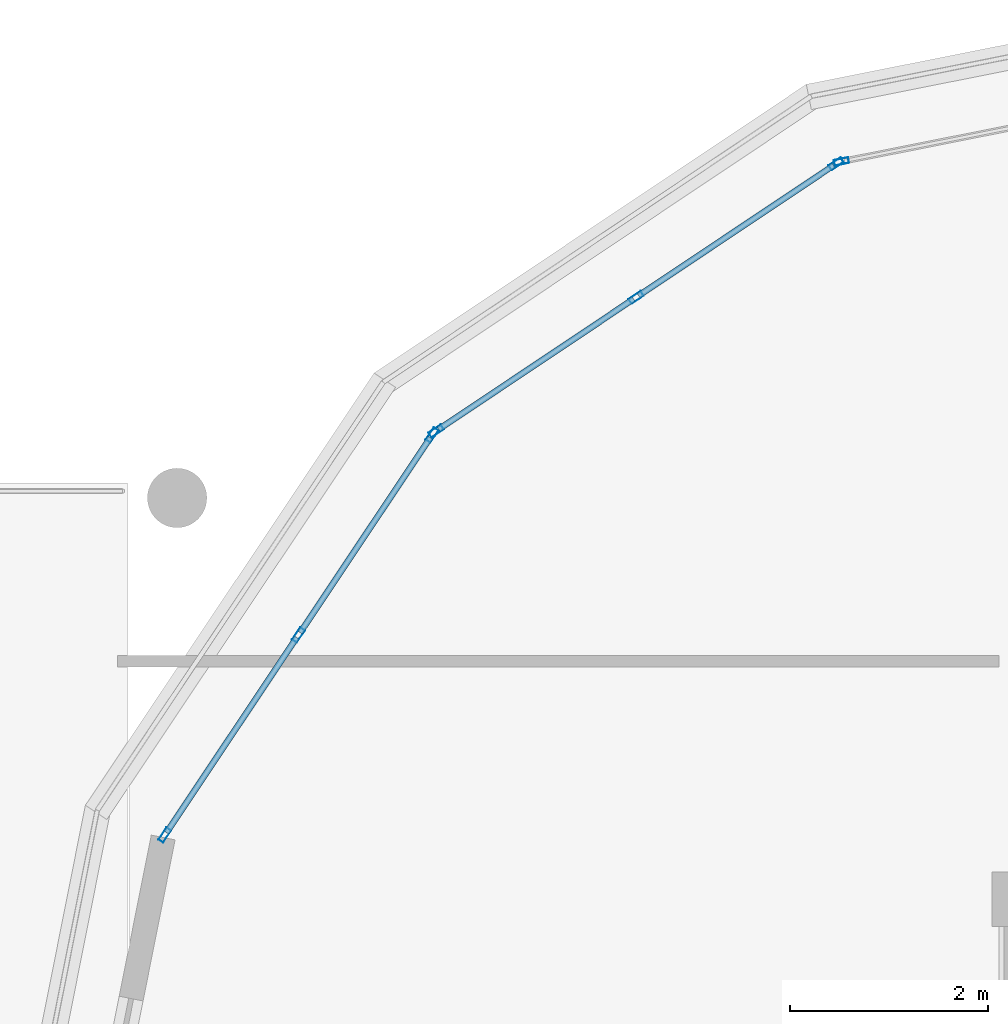
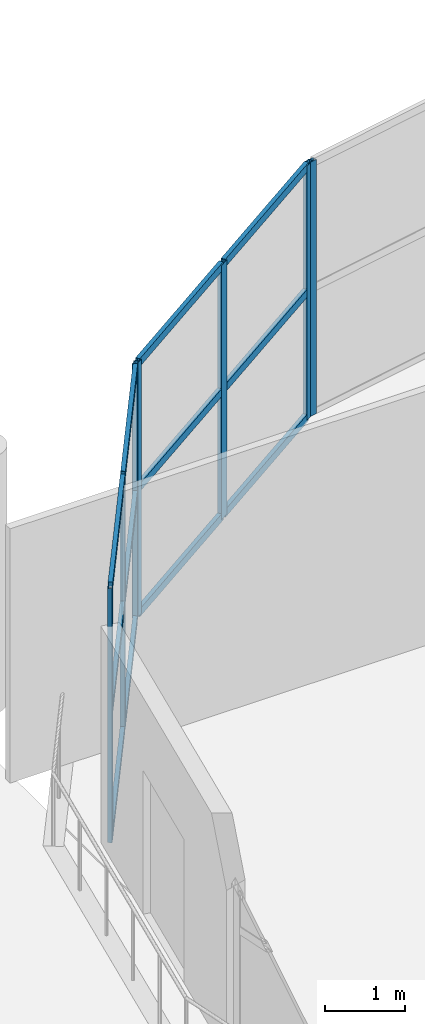
# One storey, part 6 of 44: 19 members, 3 elements without a shape of their own.
"""IFC4 building model written with IfcOpenShell, lengths in metres."""

from ifc_helpers import new_model, si_unit, direction, frame, origin, origin_2d, place, context, subcontext, project, spatial, hollow_rectangle, extrude, material, layer, layer_set, material_profile, profile_set, type_object, element, aggregate, save


model = new_model("IFC4")

# Units and contexts
model_context = context("Model", 3, precision=1e-05, world=origin(), true_north=direction((0.0, 1.0)))
body_context = subcontext(model_context, "Body", "Model", "MODEL_VIEW")
ifc_project = project(units=[si_unit("LENGTHUNIT", "METRE"), si_unit("AREAUNIT", "SQUARE_METRE"), si_unit("VOLUMEUNIT", "CUBIC_METRE"), si_unit("PLANEANGLEUNIT", "RADIAN"), si_unit("MASSUNIT", "GRAM", prefix="KILO")], contexts=[model_context])

# Site, building, storey
site_placement = place(None, origin())
site = spatial("IfcSite", under=ifc_project, at=site_placement, CompositionType="ELEMENT")
building_placement = place(site_placement, origin())
building = spatial("IfcBuilding", under=site, at=building_placement, Name="Zizhar Promenade General Hospital", CompositionType="ELEMENT")
storey_placement = place(building_placement, frame((0.0, 0.0, 34.800048828125)))
storey = spatial("IfcBuildingStorey", under=building, at=storey_placement, Name="L08", CompositionType="ELEMENT", Elevation=34.800048828125)

# Curtain wall, member
ifc_material_1 = material(Name="Anodised aluminium 6063-T6 and low-E glass", Category="aluminium")
ifc_layer = layer(ifc_material_1, 0.159912109375)
ifc_layer_set = layer_set([ifc_layer], Name="Anodised aluminium 6063-T6 and low-E glass")
curtain_wall_type = type_object("IfcCurtainWallType", Name="CW-WARD-ARC", PredefinedType="NOTDEFINED", material=ifc_layer_set)
curtain_wall_1_placement = place(storey_placement, origin())
curtain_wall_1 = element("IfcCurtainWall", 1, at=curtain_wall_1_placement, inside=storey, type_object=curtain_wall_type, Name="Ward Semicircular End Glazing L08-10", PredefinedType="NOTDEFINED")
ifc_material_2 = material(Name="Anodised aluminium 6063-T6", Category="aluminium")
ifc_material_profile_1 = material_profile(ifc_material_2, hollow_rectangle(XDim=0.06005859375, YDim=0.14990234375, WallThickness=0.00390625, at=origin_2d()))
ifc_profile_set_1 = profile_set([ifc_material_profile_1], Name="Anodised aluminium 6063-T6")
member_type_1 = type_object("IfcMemberType", Name="CWM-ALU-150x60", PredefinedType="MULLION", material=ifc_profile_set_1)
member_1_placement = place(storey_placement, frame((45.007568359375, 24.246826171875, 0.0), z_axis=(0.0, 0.0, 1.0), x_axis=(-0.195087259275, 0.980785889615, 0.0)))
member_1 = element("IfcMember", 2, at=member_1_placement, type_object=member_type_1, Name="CW-12 mullion 1", PredefinedType="MULLION", context=body_context, shape_type="SweptSolid", body=[
    extrude(hollow_rectangle(XDim=0.06005859375, YDim=0.14990234375, WallThickness=0.00390625, at=origin_2d()), origin(), (0.0, 0.0, 1.0), 3.89990234375),
])
aggregate(curtain_wall_1, [member_1])

# Curtain wall, members
curtain_wall_2_placement = place(storey_placement, origin())
curtain_wall_2 = element("IfcCurtainWall", 3, at=curtain_wall_2_placement, inside=storey, type_object=curtain_wall_type, Name="Ward Semicircular End Glazing L08-11", PredefinedType="NOTDEFINED")
member_2_placement = place(storey_placement, frame((40.91552734375, 21.526123046875, 0.0), z_axis=(0.0, 0.0, 1.0), x_axis=(-0.555582352095, 0.831461514468, 0.0)))
member_2 = element("IfcMember", 4, at=member_2_placement, type_object=member_type_1, Name="CW-12 mullion 1", PredefinedType="MULLION", context=body_context, shape_type="SweptSolid", body=[
    extrude(hollow_rectangle(XDim=0.06005859375, YDim=0.14990234375, WallThickness=0.00390625, at=origin_2d()), origin(), (0.0, 0.0, 1.0), 3.89990234375),
])
member_3_placement = place(storey_placement, frame((42.934326171875, 22.875244140625, 0.0), z_axis=(0.0, 0.0, 1.0), x_axis=(-0.555582352095, 0.831461514468, 0.0)))
member_3 = element("IfcMember", 5, at=member_3_placement, type_object=member_type_1, Name="CW-12 mullion 2", PredefinedType="MULLION", context=body_context, shape_type="SweptSolid", body=[
    extrude(hollow_rectangle(XDim=0.06005859375, YDim=0.14990234375, WallThickness=0.00390625, at=origin_2d()), origin(), (0.0, 0.0, 1.0), 3.89990234375),
])
member_4_placement = place(storey_placement, frame((44.953369140625, 24.22412109375, 0.0), z_axis=(0.0, 0.0, 1.0), x_axis=(-0.555582352095, 0.831461514468, 0.0)))
member_4 = element("IfcMember", 6, at=member_4_placement, type_object=member_type_1, Name="CW-12 mullion 3", PredefinedType="MULLION", context=body_context, shape_type="SweptSolid", body=[
    extrude(hollow_rectangle(XDim=0.06005859375, YDim=0.14990234375, WallThickness=0.00390625, at=origin_2d()), origin(), (0.0, 0.0, 1.0), 3.89990234375),
])

curtain_wall_3_placement = place(storey_placement, origin())
curtain_wall_3 = element("IfcCurtainWall", 7, at=curtain_wall_3_placement, inside=storey, type_object=curtain_wall_type, Name="Ward Semicircular End Glazing L08-12", PredefinedType="NOTDEFINED")
member_5_placement = place(storey_placement, frame((38.17578125, 17.44677734375, 0.0), z_axis=(0.0, 0.0, 1.0), x_axis=(-0.831461514468, 0.555582352095, 0.0)))
member_5 = element("IfcMember", 8, at=member_5_placement, type_object=member_type_1, Name="CW-12 mullion 1", PredefinedType="MULLION", context=body_context, shape_type="SweptSolid", body=[
    extrude(hollow_rectangle(XDim=0.06005859375, YDim=0.14990234375, WallThickness=0.00390625, at=origin_2d()), origin(), (0.0, 0.0, 1.0), 3.89990234375),
])
member_6_placement = place(storey_placement, frame((39.52490234375, 19.465576171875, 0.0), z_axis=(0.0, 0.0, 1.0), x_axis=(-0.831461514468, 0.555582352095, 0.0)))
member_6 = element("IfcMember", 9, at=member_6_placement, type_object=member_type_1, Name="CW-12 mullion 2", PredefinedType="MULLION", context=body_context, shape_type="SweptSolid", body=[
    extrude(hollow_rectangle(XDim=0.06005859375, YDim=0.14990234375, WallThickness=0.00390625, at=origin_2d()), origin(), (0.0, 0.0, 1.0), 3.89990234375),
])
member_7_placement = place(storey_placement, frame((40.873779296875, 21.484619140625, 0.0), z_axis=(0.0, 0.0, 1.0), x_axis=(-0.831461514468, 0.555582352095, 0.0)))
member_7 = element("IfcMember", 10, at=member_7_placement, type_object=member_type_1, Name="CW-12 mullion 3", PredefinedType="MULLION", context=body_context, shape_type="SweptSolid", body=[
    extrude(hollow_rectangle(XDim=0.06005859375, YDim=0.14990234375, WallThickness=0.00390625, at=origin_2d()), origin(), (0.0, 0.0, 1.0), 3.89990234375),
])

# Member
ifc_material_3 = material(Name="Anodised aluminium 6063-T6", Category="aluminium")
ifc_material_profile_2 = material_profile(ifc_material_3, hollow_rectangle(XDim=0.06005859375, YDim=0.1201171875, WallThickness=0.00390625, at=origin_2d()))
ifc_profile_set_2 = profile_set([ifc_material_profile_2], Name="Anodised aluminium 6063-T6")
member_type_2 = type_object("IfcMemberType", Name="CWT-ALU-120x60", PredefinedType="USERDEFINED", material=ifc_profile_set_2)
member_8_placement = place(storey_placement, frame((40.9404296875, 21.542724609375, 0.030029296875), z_axis=(0.831415354375, 0.555651427164, 0.0), x_axis=(-0.555651427164, 0.831415354375, 0.0)))
member_8 = element("IfcMember", 11, at=member_8_placement, type_object=member_type_2, Name="CW-12 transom 1.1", ObjectType="TRANSOM", PredefinedType="USERDEFINED", context=body_context, shape_type="SweptSolid", body=[
    extrude(hollow_rectangle(XDim=0.06005859375, YDim=0.1201171875, WallThickness=0.00390625, at=origin_2d()), origin(), (0.0, 0.0, 1.0), 2.3681640625),
])

member_9_placement = place(storey_placement, frame((40.9404296875, 21.542724609375, 1.949951171875), z_axis=(0.831415354375, 0.555651427164, 0.0), x_axis=(-0.555651427164, 0.831415354375, 0.0)))
member_9 = element("IfcMember", 12, at=member_9_placement, type_object=member_type_2, Name="CW-12 transom 1.2", ObjectType="TRANSOM", PredefinedType="USERDEFINED", context=body_context, shape_type="SweptSolid", body=[
    extrude(hollow_rectangle(XDim=0.06005859375, YDim=0.1201171875, WallThickness=0.00390625, at=origin_2d()), origin(), (0.0, 0.0, 1.0), 2.3681640625),
])

member_10_placement = place(storey_placement, frame((40.9404296875, 21.542724609375, 3.869873046875), z_axis=(0.831415354375, 0.555651427164, 0.0), x_axis=(-0.555651427164, 0.831415354375, 0.0)))
member_10 = element("IfcMember", 13, at=member_10_placement, type_object=member_type_2, Name="CW-12 transom 1.3", ObjectType="TRANSOM", PredefinedType="USERDEFINED", context=body_context, shape_type="SweptSolid", body=[
    extrude(hollow_rectangle(XDim=0.06005859375, YDim=0.1201171875, WallThickness=0.00390625, at=origin_2d()), origin(), (0.0, 0.0, 1.0), 2.3681640625),
])

member_11_placement = place(storey_placement, frame((42.959228515625, 22.891845703125, 0.030029296875), z_axis=(0.831462978956, 0.555580160396, 0.0), x_axis=(-0.555580160396, 0.831462978956, 0.0)))
member_11 = element("IfcMember", 14, at=member_11_placement, type_object=member_type_2, Name="CW-12 transom 2.1", ObjectType="TRANSOM", PredefinedType="USERDEFINED", context=body_context, shape_type="SweptSolid", body=[
    extrude(hollow_rectangle(XDim=0.06005859375, YDim=0.1201171875, WallThickness=0.00390625, at=origin_2d()), origin(), (0.0, 0.0, 1.0), 2.3681640625),
])

member_12_placement = place(storey_placement, frame((42.959228515625, 22.891845703125, 1.949951171875), z_axis=(0.831462978956, 0.555580160396, 0.0), x_axis=(-0.555580160396, 0.831462978956, 0.0)))
member_12 = element("IfcMember", 15, at=member_12_placement, type_object=member_type_2, Name="CW-12 transom 2.2", ObjectType="TRANSOM", PredefinedType="USERDEFINED", context=body_context, shape_type="SweptSolid", body=[
    extrude(hollow_rectangle(XDim=0.06005859375, YDim=0.1201171875, WallThickness=0.00390625, at=origin_2d()), origin(), (0.0, 0.0, 1.0), 2.3681640625),
])

member_13_placement = place(storey_placement, frame((42.959228515625, 22.891845703125, 3.869873046875), z_axis=(0.831462978956, 0.555580160396, 0.0), x_axis=(-0.555580160396, 0.831462978956, 0.0)))
member_13 = element("IfcMember", 16, at=member_13_placement, type_object=member_type_2, Name="CW-12 transom 2.3", ObjectType="TRANSOM", PredefinedType="USERDEFINED", context=body_context, shape_type="SweptSolid", body=[
    extrude(hollow_rectangle(XDim=0.06005859375, YDim=0.1201171875, WallThickness=0.00390625, at=origin_2d()), origin(), (0.0, 0.0, 1.0), 2.3681640625),
])

aggregate(curtain_wall_2, [member_2, member_3, member_4, member_8, member_9, member_10, member_11, member_12, member_13])

member_14_placement = place(storey_placement, frame((38.1923828125, 17.4716796875, 0.030029296875), z_axis=(0.555580160396, 0.831462978956, 0.0), x_axis=(-0.831462978956, 0.555580160396, 0.0)))
member_14 = element("IfcMember", 17, at=member_14_placement, type_object=member_type_2, Name="CW-12 transom 1.1", ObjectType="TRANSOM", PredefinedType="USERDEFINED", context=body_context, shape_type="SweptSolid", body=[
    extrude(hollow_rectangle(XDim=0.06005859375, YDim=0.1201171875, WallThickness=0.00390625, at=origin_2d()), origin(), (0.0, 0.0, 1.0), 2.3681640625),
])

member_15_placement = place(storey_placement, frame((38.1923828125, 17.4716796875, 1.949951171875), z_axis=(0.555580160396, 0.831462978956, 0.0), x_axis=(-0.831462978956, 0.555580160396, 0.0)))
member_15 = element("IfcMember", 18, at=member_15_placement, type_object=member_type_2, Name="CW-12 transom 1.2", ObjectType="TRANSOM", PredefinedType="USERDEFINED", context=body_context, shape_type="SweptSolid", body=[
    extrude(hollow_rectangle(XDim=0.06005859375, YDim=0.1201171875, WallThickness=0.00390625, at=origin_2d()), origin(), (0.0, 0.0, 1.0), 2.3681640625),
])

member_16_placement = place(storey_placement, frame((38.1923828125, 17.4716796875, 3.869873046875), z_axis=(0.555580160396, 0.831462978956, 0.0), x_axis=(-0.831462978956, 0.555580160396, 0.0)))
member_16 = element("IfcMember", 19, at=member_16_placement, type_object=member_type_2, Name="CW-12 transom 1.3", ObjectType="TRANSOM", PredefinedType="USERDEFINED", context=body_context, shape_type="SweptSolid", body=[
    extrude(hollow_rectangle(XDim=0.06005859375, YDim=0.1201171875, WallThickness=0.00390625, at=origin_2d()), origin(), (0.0, 0.0, 1.0), 2.3681640625),
])

member_17_placement = place(storey_placement, frame((39.54150390625, 19.490478515625, 0.030029296875), z_axis=(0.555532539312, 0.831494797197, 0.0), x_axis=(-0.831494797197, 0.555532539312, 0.0)))
member_17 = element("IfcMember", 20, at=member_17_placement, type_object=member_type_2, Name="CW-12 transom 2.1", ObjectType="TRANSOM", PredefinedType="USERDEFINED", context=body_context, shape_type="SweptSolid", body=[
    extrude(hollow_rectangle(XDim=0.06005859375, YDim=0.1201171875, WallThickness=0.00390625, at=origin_2d()), origin(), (0.0, 0.0, 1.0), 2.368408203125),
])

member_18_placement = place(storey_placement, frame((39.54150390625, 19.490478515625, 1.949951171875), z_axis=(0.555532539312, 0.831494797197, 0.0), x_axis=(-0.831494797197, 0.555532539312, 0.0)))
member_18 = element("IfcMember", 21, at=member_18_placement, type_object=member_type_2, Name="CW-12 transom 2.2", ObjectType="TRANSOM", PredefinedType="USERDEFINED", context=body_context, shape_type="SweptSolid", body=[
    extrude(hollow_rectangle(XDim=0.06005859375, YDim=0.1201171875, WallThickness=0.00390625, at=origin_2d()), origin(), (0.0, 0.0, 1.0), 2.368408203125),
])

member_19_placement = place(storey_placement, frame((39.54150390625, 19.490478515625, 3.869873046875), z_axis=(0.555532539312, 0.831494797197, 0.0), x_axis=(-0.831494797197, 0.555532539312, 0.0)))
member_19 = element("IfcMember", 22, at=member_19_placement, type_object=member_type_2, Name="CW-12 transom 2.3", ObjectType="TRANSOM", PredefinedType="USERDEFINED", context=body_context, shape_type="SweptSolid", body=[
    extrude(hollow_rectangle(XDim=0.06005859375, YDim=0.1201171875, WallThickness=0.00390625, at=origin_2d()), origin(), (0.0, 0.0, 1.0), 2.368408203125),
])

aggregate(curtain_wall_3, [member_5, member_6, member_7, member_14, member_15, member_16, member_17, member_18, member_19])

save(model, "model.ifc")
